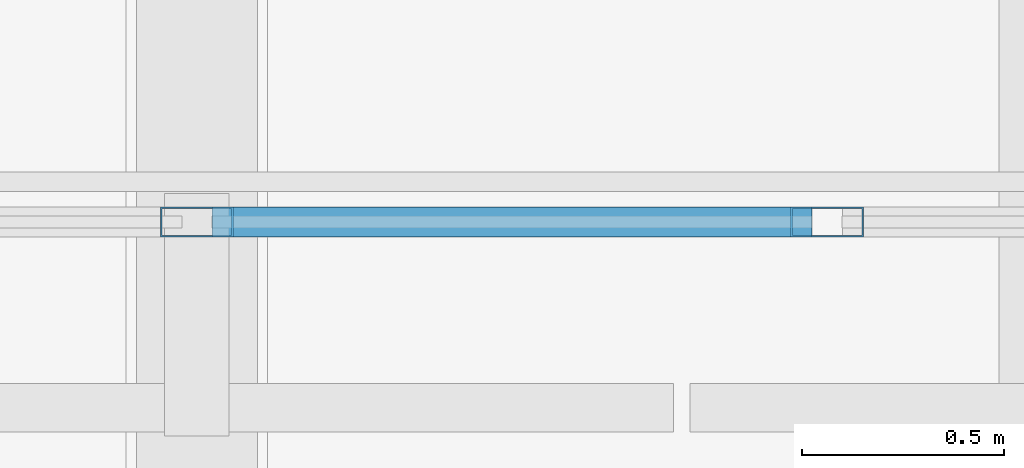
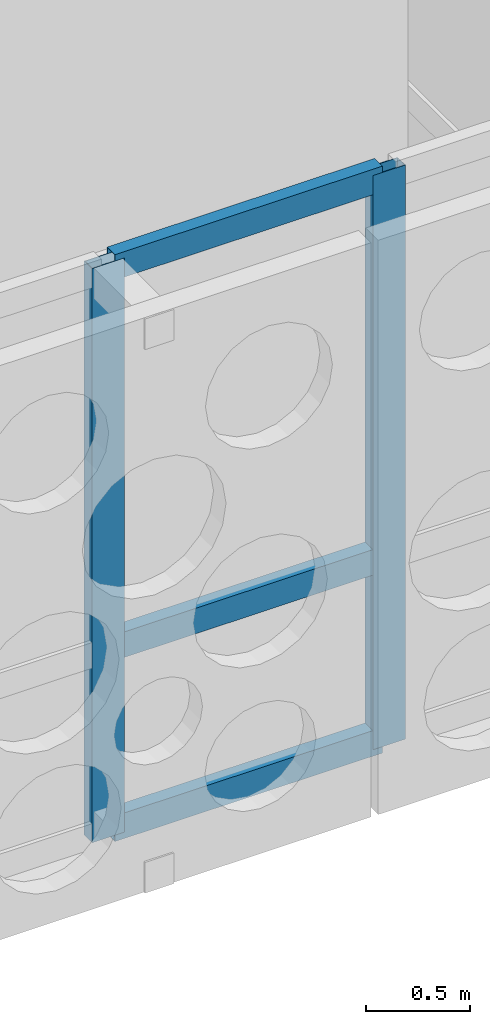
# One storey, part 29 of 171: 5 members, 1 element without a shape of its own.
"""IFC4 building model written with IfcOpenShell, lengths in metres."""

from ifc_helpers import new_model, si_unit, direction, frame, origin, origin_2d, place, context, subcontext, project, spatial, hollow_rectangle, extrude, material, material_profile, profile_set, type_object, element, aggregate, save


model = new_model("IFC4")

# Units and contexts
model_context = context("Model", 3, precision=1e-05, world=origin(), true_north=direction((0.0, 1.0)))
body_context = subcontext(model_context, "Body", "Model", "MODEL_VIEW")
ifc_project = project(units=[si_unit("LENGTHUNIT", "METRE"), si_unit("AREAUNIT", "SQUARE_METRE"), si_unit("VOLUMEUNIT", "CUBIC_METRE"), si_unit("PLANEANGLEUNIT", "RADIAN"), si_unit("MASSUNIT", "GRAM", prefix="KILO")], contexts=[model_context])

# Site, building, storey
site_placement = place(None, origin())
site = spatial("IfcSite", under=ifc_project, at=site_placement, CompositionType="ELEMENT")
building_placement = place(site_placement, origin())
building = spatial("IfcBuilding", under=site, at=building_placement, Name="Aldebral Square Health Centre", CompositionType="ELEMENT")
storey_placement = place(building_placement, frame((0.0, 0.0, 4.5)))
storey = spatial("IfcBuildingStorey", under=building, at=storey_placement, Name="L01", CompositionType="ELEMENT", Elevation=4.5)

# Curtain wall, members
ifc_material_1 = material(Name="Aluminium and low-E solar glass", Category="aluminium")
curtain_wall_type = type_object("IfcCurtainWallType", Name="CW-HALL-SYS", PredefinedType="USERDEFINED", material=ifc_material_1)
curtain_wall_placement = place(storey_placement, origin())
curtain_wall = element("IfcCurtainWall", 1, at=curtain_wall_placement, inside=storey, type_object=curtain_wall_type, Name="L01 V1 hall curtain wall L01-V1-10-13-S", ObjectType="HALL_CURTAIN_WALL", PredefinedType="USERDEFINED")
ifc_material_2 = material(Name="Anodised aluminium mullion", Category="aluminium")
ifc_material_profile_1 = material_profile(ifc_material_2, hollow_rectangle(XDim=0.074951171875, YDim=0.179931640625, WallThickness=0.00390625, at=origin_2d()), Name="CWM 75x180x4")
ifc_profile_set_1 = profile_set([ifc_material_profile_1], Name="Anodised aluminium mullion")
member_type_1 = type_object("IfcMemberType", Name="CWM-STD", PredefinedType="MULLION", material=ifc_profile_set_1)
member_1_placement = place(storey_placement, frame((75.60009765625, 93.60009765625, 0.0), z_axis=(0.0, 0.0, 1.0), x_axis=(0.0, 1.0, 0.0)))
member_1 = element("IfcMember", 2, at=member_1_placement, type_object=member_type_1, Name="CW2 mullion 3", PredefinedType="MULLION", context=body_context, shape_type="SweptSolid", body=[
    extrude(hollow_rectangle(XDim=0.074951171875, YDim=0.179931640625, WallThickness=0.00390625, at=origin_2d()), origin(), (0.0, 0.0, 1.0), 3.3701171875),
])
member_2_placement = place(storey_placement, frame((77.159912109375, 93.60009765625, 0.0), z_axis=(0.0, 0.0, 1.0), x_axis=(0.0, 1.0, 0.0)))
member_2 = element("IfcMember", 3, at=member_2_placement, type_object=member_type_1, Name="CW2 mullion 4", PredefinedType="MULLION", context=body_context, shape_type="SweptSolid", body=[
    extrude(hollow_rectangle(XDim=0.074951171875, YDim=0.179931640625, WallThickness=0.00390625, at=origin_2d()), origin(), (0.0, 0.0, 1.0), 3.3701171875),
])
ifc_material_3 = material(Name="Anodised aluminium transom", Category="aluminium")
ifc_material_profile_2 = material_profile(ifc_material_3, hollow_rectangle(XDim=0.074951171875, YDim=0.14990234375, WallThickness=0.00390625, at=origin_2d()), Name="CWT 75x150x4")
ifc_profile_set_2 = profile_set([ifc_material_profile_2], Name="Anodised aluminium transom")
member_type_2 = type_object("IfcMemberType", Name="CWT-STD", PredefinedType="USERDEFINED", material=ifc_profile_set_2)
member_3_placement = place(storey_placement, frame((75.637451171875, 93.60009765625, 0.03759765625), z_axis=(1.0, 0.0, 0.0), x_axis=(0.0, 1.0, 0.0)))
member_3 = element("IfcMember", 4, at=member_3_placement, type_object=member_type_2, Name="CW2 transom 3.1", ObjectType="TRANSOM", PredefinedType="USERDEFINED", context=body_context, shape_type="SweptSolid", body=[
    extrude(hollow_rectangle(XDim=0.074951171875, YDim=0.14990234375, WallThickness=0.00390625, at=origin_2d()), origin(), (0.0, 0.0, 1.0), 1.485107421875),
])
member_4_placement = place(storey_placement, frame((75.637451171875, 93.60009765625, 1.10009765625), z_axis=(1.0, 0.0, 0.0), x_axis=(0.0, 1.0, 0.0)))
member_4 = element("IfcMember", 5, at=member_4_placement, type_object=member_type_2, Name="CW2 transom 3.2", ObjectType="TRANSOM", PredefinedType="USERDEFINED", context=body_context, shape_type="SweptSolid", body=[
    extrude(hollow_rectangle(XDim=0.074951171875, YDim=0.14990234375, WallThickness=0.00390625, at=origin_2d()), origin(), (0.0, 0.0, 1.0), 1.485107421875),
])
member_5_placement = place(storey_placement, frame((75.637451171875, 93.60009765625, 3.33251953125), z_axis=(1.0, 0.0, 0.0), x_axis=(0.0, 1.0, 0.0)))
member_5 = element("IfcMember", 6, at=member_5_placement, type_object=member_type_2, Name="CW2 transom 3.3", ObjectType="TRANSOM", PredefinedType="USERDEFINED", context=body_context, shape_type="SweptSolid", body=[
    extrude(hollow_rectangle(XDim=0.074951171875, YDim=0.14990234375, WallThickness=0.00390625, at=origin_2d()), origin(), (0.0, 0.0, 1.0), 1.485107421875),
])
aggregate(curtain_wall, [member_1, member_2, member_3, member_4, member_5])

save(model, "model.ifc")
